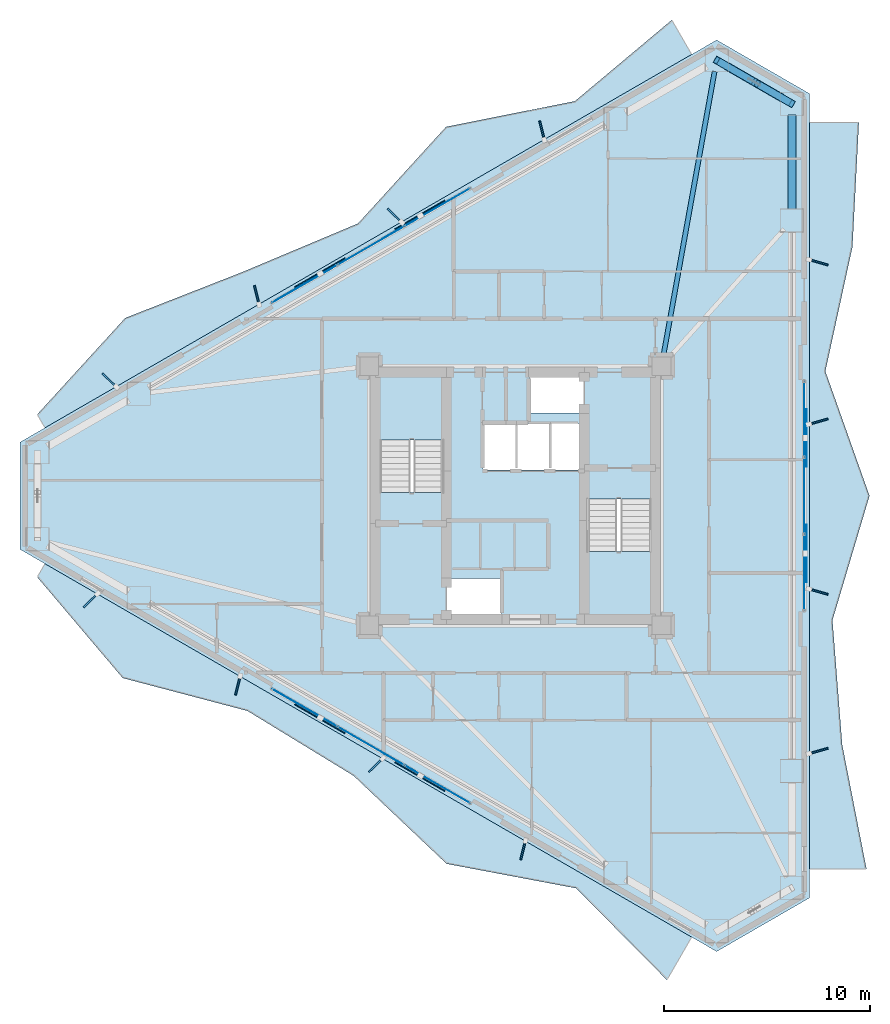
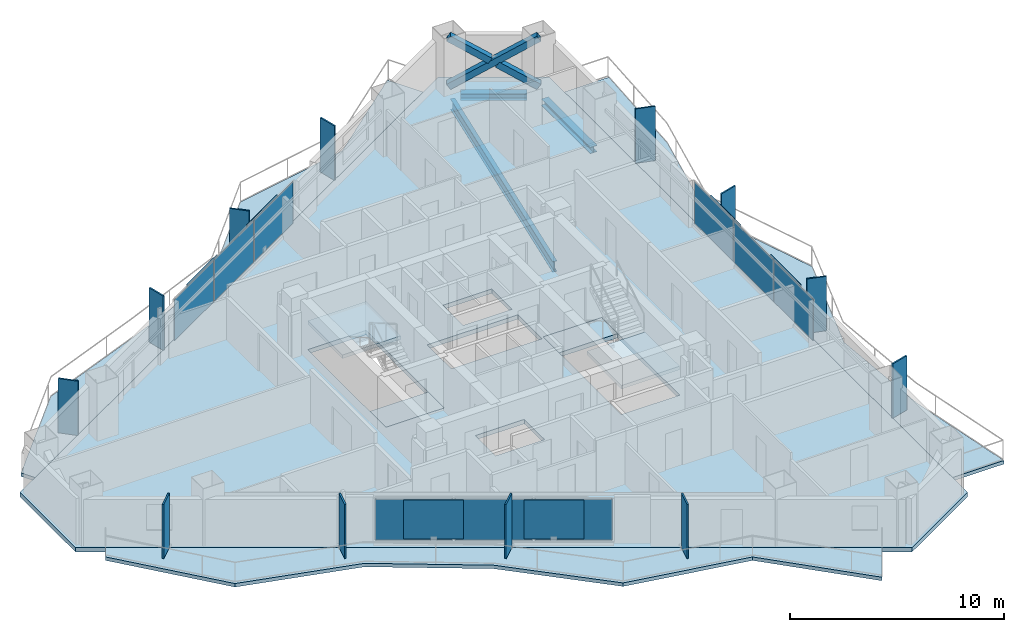
# One storey, part 14 of 22: 27 plates, 8 slabs, 3 beams, 3 members, 5 elements without a shape of their own.
"""IFC4 building model written with IfcOpenShell, lengths in metres."""

from ifc_helpers import new_model, si_unit, direction, frame, origin, origin_2d, place, context, subcontext, project, spatial, polyline, rectangle, hollow_rectangle, i_section, outline, extrude, material, layer, layer_set, material_profile, profile_set, type_object, element, aggregate, save


model = new_model("IFC4")

# Units and contexts
model_context = context("Model", 3, precision=1e-05, world=origin(), true_north=direction((0.0, 1.0)))
body_context = subcontext(model_context, "Body", "Model", "MODEL_VIEW")
ifc_project = project(units=[si_unit("LENGTHUNIT", "METRE"), si_unit("AREAUNIT", "SQUARE_METRE"), si_unit("VOLUMEUNIT", "CUBIC_METRE"), si_unit("PLANEANGLEUNIT", "RADIAN"), si_unit("MASSUNIT", "GRAM", prefix="KILO")], contexts=[model_context])

# Site, building, storey
site_placement = place(None, origin())
site = spatial("IfcSite", under=ifc_project, at=site_placement, CompositionType="ELEMENT")
building_placement = place(site_placement, origin())
building = spatial("IfcBuilding", under=site, at=building_placement, Name="Mersakhor Tower and Convention Hall", CompositionType="ELEMENT")
storey_placement = place(building_placement, frame((0.0, 0.0, 83.39990234375)))
storey = spatial("IfcBuildingStorey", under=building, at=storey_placement, Name="L22", CompositionType="ELEMENT", Elevation=83.39990234375)

# Beams
ifc_material_1 = material(Name="Steel S355", Category="steel")
ifc_material_profile_1 = material_profile(ifc_material_1, i_section(OverallWidth=0.22900390625, OverallDepth=0.6123046875, WebThickness=0.011962890625, FlangeThickness=0.01953125, at=origin_2d()), Name="UB 610x229x125")
ifc_profile_set_1 = profile_set([ifc_material_profile_1], Name="Steel S355")
beam_type_1 = type_object("IfcBeamType", Name="BM-PR-610", PredefinedType="BEAM", material=ifc_profile_set_1)
beam_1_placement = place(storey_placement, frame((36.17626953125, 33.47314453125, -0.555908203125), z_axis=(0.177414716723, 0.984136178732, 0.0), x_axis=(-0.984136178732, 0.177414716723, 0.0)))
element("IfcBeam", 1, at=beam_1_placement, inside=storey, type_object=beam_type_1, Name="L22 Primary Floor Girder FG-2", PredefinedType="BEAM", context=body_context, shape_type="SweptSolid", body=[
    extrude(i_section(OverallWidth=0.22900390625, OverallDepth=0.6123046875, WebThickness=0.011962890625, FlangeThickness=0.01953125, at=origin_2d()), origin(), (0.0, 0.0, 1.0), 14.11328125),
])
ifc_material_2 = material(Name="Steel S355", Category="steel")
ifc_material_profile_2 = material_profile(ifc_material_2, i_section(OverallWidth=0.374755859375, OverallDepth=0.37451171875, WebThickness=0.0166015625, FlangeThickness=0.027099609375, at=origin_2d()), Name="UC 356x368x202")
ifc_profile_set_2 = profile_set([ifc_material_profile_2], Name="Steel S355")
beam_type_2 = type_object("IfcBeamType", Name="BM-SPD-UC356", PredefinedType="SPANDREL", material=ifc_profile_set_2)
beam_2_placement = place(storey_placement, frame((39.25927734375, 47.631103515625, -0.437255859375), z_axis=(0.866052319632, -0.499953377486, 0.0), x_axis=(0.499953377486, 0.866052319632, 0.0)))
element("IfcBeam", 2, at=beam_2_placement, inside=storey, type_object=beam_type_2, Name="L22 Perimeter Spandrel Beam SPB-04", PredefinedType="SPANDREL", context=body_context, shape_type="SweptSolid", body=[
    extrude(i_section(OverallWidth=0.374755859375, OverallDepth=0.37451171875, WebThickness=0.0166015625, FlangeThickness=0.027099609375, at=origin_2d()), origin(), (0.0, 0.0, 1.0), 3.111572265625),
])
beam_3_placement = place(storey_placement, frame((42.4345703125, 45.242919921875, -0.437255859375), z_axis=(0.0, -1.0, 0.0), x_axis=(1.0, 0.0, 0.0)))
element("IfcBeam", 3, at=beam_3_placement, inside=storey, type_object=beam_type_2, Name="L22 Perimeter Spandrel Beam SPB-05", PredefinedType="SPANDREL", context=body_context, shape_type="SweptSolid", body=[
    extrude(i_section(OverallWidth=0.374755859375, OverallDepth=0.37451171875, WebThickness=0.0166015625, FlangeThickness=0.027099609375, at=origin_2d()), origin(), (0.0, 0.0, 1.0), 4.566162109375),
])

# Members
ifc_material_3 = material(Name="Steel S460", Category="steel")
ifc_material_profile_3 = material_profile(ifc_material_3, hollow_rectangle(XDim=0.35009765625, YDim=0.35009765625, WallThickness=0.02001953125, at=origin_2d()), Name="SHS 350x350x20")
ifc_profile_set_3 = profile_set([ifc_material_profile_3], Name="Steel S460")
member_type = type_object("IfcMemberType", Name="MB-BRC-SHS350", PredefinedType="BRACE", material=ifc_profile_set_3)
member_placement = place(storey_placement, frame((38.77880859375, 47.90869140625, 0.150146484375), z_axis=(0.725633725484, -0.418933054415, 0.545848689986), x_axis=(0.49998946241, 0.866031487579, 0.0)))
element("IfcMember", 4, at=member_placement, inside=storey, type_object=member_type, Name="L22 Chamfer Braced Frame Diagonal CB-1A", PredefinedType="BRACE", context=body_context, shape_type="SweptSolid", body=[
    extrude(hollow_rectangle(XDim=0.35009765625, YDim=0.35009765625, WallThickness=0.02001953125, at=origin_2d()), origin(), (0.0, 0.0, 1.0), 5.0380859375),
])
for number, where, z_axis, x_axis, name in (
    (5, (42.4345703125, 45.798095703125, 0.150146484375), (-0.725684866011, 0.418886985747, 0.545816057307), (-0.499921796684, -0.866070549782, 0.0), "L22 Chamfer Braced Frame Diagonal CB-1B Lower Half"),
    (6, (40.4619140625, 46.93701171875, 1.6337890625), (-0.725593346201, 0.41889491121, 0.545931634283), (-0.499976186015, -0.866039152359, 0.0), "L22 Chamfer Braced Frame Diagonal CB-1B Upper Half"),
):
    element("IfcMember", number, at=place(storey_placement, frame(where, z_axis=z_axis, x_axis=x_axis)), inside=storey, type_object=member_type, Name=name, PredefinedType="BRACE", context=body_context, shape_type="SweptSolid", body=[
        extrude(hollow_rectangle(XDim=0.35009765625, YDim=0.35009765625, WallThickness=0.02001953125, at=origin_2d()), origin(), (0.0, 0.0, 1.0), 2.319580078125),
    ])

# Curtain wall, plates
ifc_material_4 = material(Name="Dark solar low-E aluminium curtain wall", Category="aluminium")
ifc_layer_1 = layer(ifc_material_4, 0.159912109375)
ifc_layer_set_1 = layer_set([ifc_layer_1], Name="Dark solar low-E aluminium curtain wall")
curtain_wall_type = type_object("IfcCurtainWallType", Name="CW-SYS-01", PredefinedType="USERDEFINED", material=ifc_layer_set_1)
curtain_wall_1_placement = place(storey_placement, origin())
curtain_wall_1 = element("IfcCurtainWall", 7, at=curtain_wall_1_placement, inside=storey, type_object=curtain_wall_type, Name="L22 Dark-Glass Curtain Wall F1-B2", ObjectType="CURTAIN WALL", PredefinedType="USERDEFINED")
ifc_material_5 = material(Name="Dark solar double glazing", Category="glass")
ifc_layer_2 = layer(ifc_material_5, 0.02392578125)
ifc_layer_set_2 = layer_set([ifc_layer_2], Name="Dark solar double glazing")
plate_type_1 = type_object("IfcPlateType", Name="CWP-GLZ-24", PredefinedType="CURTAIN_PANEL", material=ifc_layer_set_2)
plate_1_placement = place(storey_placement, frame((18.75732421875, 37.042236328125, 0.260009765625), z_axis=(0.0, 0.0, 1.0), x_axis=(0.866026613339, 0.499997904985, 0.0)))
plate_1 = element("IfcPlate", 8, at=plate_1_placement, type_object=plate_type_1, Name="CW-01 panel 1.1", PredefinedType="CURTAIN_PANEL", context=body_context, shape_type="SweptSolid", body=[
    extrude(rectangle(XDim=3.630615234375, YDim=0.02392578125, at=origin_2d()), origin(), (0.0, 0.0, 1.0), 2.35009765625),
])
plate_2_placement = place(storey_placement, frame((21.982666015625, 38.904296875, 0.260009765625), z_axis=(0.0, 0.0, 1.0), x_axis=(0.866026613339, 0.499997904985, 0.0)))
plate_2 = element("IfcPlate", 9, at=plate_2_placement, type_object=plate_type_1, Name="CW-01 panel 2.1", PredefinedType="CURTAIN_PANEL", context=body_context, shape_type="SweptSolid", body=[
    extrude(rectangle(XDim=3.668212890625, YDim=0.02392578125, at=origin_2d()), origin(), (0.0, 0.0, 1.0), 2.35009765625),
])
plate_3_placement = place(storey_placement, frame((25.2080078125, 40.7666015625, 0.260009765625), z_axis=(0.0, 0.0, 1.0), x_axis=(0.866026613339, 0.499997904985, 0.0)))
plate_3 = element("IfcPlate", 10, at=plate_3_placement, type_object=plate_type_1, Name="CW-01 panel 3.1", PredefinedType="CURTAIN_PANEL", context=body_context, shape_type="SweptSolid", body=[
    extrude(rectangle(XDim=3.630615234375, YDim=0.02392578125, at=origin_2d()), origin(), (0.0, 0.0, 1.0), 2.35009765625),
])
aggregate(curtain_wall_1, [plate_1, plate_2, plate_3])

curtain_wall_2_placement = place(storey_placement, origin())
curtain_wall_2 = element("IfcCurtainWall", 11, at=curtain_wall_2_placement, inside=storey, type_object=curtain_wall_type, Name="L22 Dark-Glass Curtain Wall F2-B2", ObjectType="CURTAIN WALL", PredefinedType="USERDEFINED")
plate_4_placement = place(storey_placement, frame((43.03466796875, 30.474365234375, 0.260009765625), z_axis=(0.0, 0.0, 1.0), x_axis=(0.0, -1.0, 0.0)))
plate_4 = element("IfcPlate", 12, at=plate_4_placement, type_object=plate_type_1, Name="CW-01 panel 1.1", PredefinedType="CURTAIN_PANEL", context=body_context, shape_type="SweptSolid", body=[
    extrude(rectangle(XDim=3.630615234375, YDim=0.02392578125, at=origin_2d()), origin(), (0.0, 0.0, 1.0), 2.35009765625),
])
plate_5_placement = place(storey_placement, frame((43.03466796875, 26.75, 0.260009765625), z_axis=(0.0, 0.0, 1.0), x_axis=(0.0, -1.0, 0.0)))
plate_5 = element("IfcPlate", 13, at=plate_5_placement, type_object=plate_type_1, Name="CW-01 panel 2.1", PredefinedType="CURTAIN_PANEL", context=body_context, shape_type="SweptSolid", body=[
    extrude(rectangle(XDim=3.668212890625, YDim=0.02392578125, at=origin_2d()), origin(), (0.0, 0.0, 1.0), 2.35009765625),
])
plate_6_placement = place(storey_placement, frame((43.03466796875, 23.025634765625, 0.260009765625), z_axis=(0.0, 0.0, 1.0), x_axis=(0.0, -1.0, 0.0)))
plate_6 = element("IfcPlate", 14, at=plate_6_placement, type_object=plate_type_1, Name="CW-01 panel 3.1", PredefinedType="CURTAIN_PANEL", context=body_context, shape_type="SweptSolid", body=[
    extrude(rectangle(XDim=3.630615234375, YDim=0.02392578125, at=origin_2d()), origin(), (0.0, 0.0, 1.0), 2.35009765625),
])
aggregate(curtain_wall_2, [plate_4, plate_5, plate_6])

curtain_wall_3_placement = place(storey_placement, origin())
curtain_wall_3 = element("IfcCurtainWall", 15, at=curtain_wall_3_placement, inside=storey, type_object=curtain_wall_type, Name="L22 Dark-Glass Curtain Wall F3-B2", ObjectType="CURTAIN WALL", PredefinedType="USERDEFINED")
plate_7_placement = place(storey_placement, frame((25.2080078125, 12.7333984375, 0.260009765625), z_axis=(0.0, 0.0, 1.0), x_axis=(-0.866026613339, 0.499997904985, 0.0)))
plate_7 = element("IfcPlate", 16, at=plate_7_placement, type_object=plate_type_1, Name="CW-01 panel 1.1", PredefinedType="CURTAIN_PANEL", context=body_context, shape_type="SweptSolid", body=[
    extrude(rectangle(XDim=3.630615234375, YDim=0.02392578125, at=origin_2d()), origin(), (0.0, 0.0, 1.0), 2.35009765625),
])
plate_8_placement = place(storey_placement, frame((21.982666015625, 14.595703125, 0.260009765625), z_axis=(0.0, 0.0, 1.0), x_axis=(-0.866026613339, 0.499997904985, 0.0)))
plate_8 = element("IfcPlate", 17, at=plate_8_placement, type_object=plate_type_1, Name="CW-01 panel 2.1", PredefinedType="CURTAIN_PANEL", context=body_context, shape_type="SweptSolid", body=[
    extrude(rectangle(XDim=3.668212890625, YDim=0.02392578125, at=origin_2d()), origin(), (0.0, 0.0, 1.0), 2.35009765625),
])
plate_9_placement = place(storey_placement, frame((18.75732421875, 16.457763671875, 0.260009765625), z_axis=(0.0, 0.0, 1.0), x_axis=(-0.866026613339, 0.499997904985, 0.0)))
plate_9 = element("IfcPlate", 18, at=plate_9_placement, type_object=plate_type_1, Name="CW-01 panel 3.1", PredefinedType="CURTAIN_PANEL", context=body_context, shape_type="SweptSolid", body=[
    extrude(rectangle(XDim=3.630615234375, YDim=0.02392578125, at=origin_2d()), origin(), (0.0, 0.0, 1.0), 2.35009765625),
])
aggregate(curtain_wall_3, [plate_7, plate_8, plate_9])

# Plates
ifc_material_6 = material(Name="Ceramic-clad aluminium Zone 2 emerald-teal", Category="aluminium")
ifc_material_7 = material(Name="Ceramic-clad aluminium Zone 1 cobalt-slate", Category="masonry")
ifc_layer_3 = layer(ifc_material_7, 0.080078125)
ifc_layer_set_3 = layer_set([ifc_layer_3], Name="Ceramic-clad aluminium Zone 1 cobalt-slate")
plate_type_2 = type_object("IfcPlateType", Name="PL-FIN-80", PredefinedType="USERDEFINED", material=ifc_layer_set_3)
for number, where, z_axis, x_axis, name in (
    (19, (9.281494140625, 32.364013671875, 0.0), (0.0, 0.0, 1.0), (-0.719339800339, 0.694658370459, 0.0), "L22 Zone 2 Coloured Brise-Soleil Fin F1-1"),
    (20, (16.4365234375, 36.4951171875, 0.0), (0.0, 0.0, 1.0), (-0.2419218956, 0.970295726276, 0.0), "L22 Zone 2 Coloured Brise-Soleil Fin F1-2"),
    (21, (23.137939453125, 40.364013671875, 0.0), (0.0, 0.0, 1.0), (-0.719339800339, 0.694658370459, 0.0), "L22 Zone 2 Coloured Brise-Soleil Fin F1-3"),
    (22, (30.29296875, 44.4951171875, 0.0), (0.0, 0.0, 1.0), (-0.2419218956, 0.970295726276, 0.0), "L22 Zone 2 Coloured Brise-Soleil Fin F1-4"),
    (23, (43.72119140625, 38.091064453125, 0.0), (0.0, 0.0, 1.0), (0.961261695938, -0.275637355817, 0.0), "L22 Zone 2 Coloured Brise-Soleil Fin F2-1"),
    (24, (43.72119140625, 30.35302734375, 0.0), (0.0, 0.0, 1.0), (0.961261695938, 0.275637355817, 0.0), "L22 Zone 2 Coloured Brise-Soleil Fin F2-2"),
    (25, (43.72119140625, 22.091064453125, 0.0), (0.0, 0.0, 1.0), (0.961261695938, -0.275637355817, 0.0), "L22 Zone 2 Coloured Brise-Soleil Fin F2-3"),
    (26, (43.72119140625, 14.35302734375, 0.0), (0.0, 0.0, 1.0), (0.961261695938, 0.275637355817, 0.0), "L22 Zone 2 Coloured Brise-Soleil Fin F2-4"),
    (27, (29.37841796875, 9.532958984375, 0.0), (0.0, 0.0, 1.0), (-0.2419218956, -0.970295726276, 0.0), "L22 Zone 2 Coloured Brise-Soleil Fin F3-1"),
    (28, (22.223388671875, 13.663818359375, 0.0), (0.0, 0.0, 1.0), (-0.719339800339, -0.694658370459, 0.0), "L22 Zone 2 Coloured Brise-Soleil Fin F3-2"),
    (29, (15.52197265625, 17.532958984375, 0.0), (0.0, 0.0, 1.0), (-0.2419218956, -0.970295726276, 0.0), "L22 Zone 2 Coloured Brise-Soleil Fin F3-3"),
    (30, (8.3671875, 21.663818359375, 0.0), (0.0, 0.0, 1.0), (-0.719339800339, -0.694658370459, 0.0), "L22 Zone 2 Coloured Brise-Soleil Fin F3-4"),
):
    element("IfcPlate", number, at=place(storey_placement, frame(where, z_axis=z_axis, x_axis=x_axis)), inside=storey, type_object=plate_type_2, material=ifc_material_6, Name=name, ObjectType="FIN", PredefinedType="USERDEFINED", context=body_context, shape_type="SweptSolid", body=[
        extrude(rectangle(XDim=0.949951171875, YDim=0.080078125, at=origin_2d()), origin(), (0.0, 0.0, 1.0), 3.10009765625),
    ])
ifc_material_8 = material(Name="Perforated ceramic cobogo solar screen", Category="aluminium")
ifc_layer_4 = layer(ifc_material_8, 0.048095703125)
ifc_layer_set_4 = layer_set([ifc_layer_4], Name="Perforated ceramic cobogo solar screen")
plate_type_3 = type_object("IfcPlateType", Name="PL-SCR-48", PredefinedType="USERDEFINED", material=ifc_layer_set_4)
for number, where, z_axis, x_axis, name in (
    (31, (19.50439453125, 37.58203125, 0.39990234375), (0.0, 0.0, 1.0), (0.866025403784, 0.5, 0.0), "L22 Perforated Ceramic Solar Screen F1-1"),
    (32, (24.366943359375, 40.389404296875, 0.39990234375), (0.0, 0.0, 1.0), (0.866025403784, 0.5, 0.0), "L22 Perforated Ceramic Solar Screen F1-2"),
    (33, (43.128662109375, 29.557373046875, 0.39990234375), (0.0, 0.0, 1.0), (0.0, -1.0, 0.0), "L22 Perforated Ceramic Solar Screen F2-1"),
    (34, (43.128662109375, 23.942626953125, 0.39990234375), (0.0, 0.0, 1.0), (0.0, -1.0, 0.0), "L22 Perforated Ceramic Solar Screen F2-2"),
    (35, (24.366943359375, 13.110595703125, 0.39990234375), (0.0, 0.0, 1.0), (-0.866025403784, 0.5, 0.0), "L22 Perforated Ceramic Solar Screen F3-1"),
    (36, (19.50439453125, 15.91796875, 0.39990234375), (0.0, 0.0, 1.0), (-0.866025403784, 0.5, 0.0), "L22 Perforated Ceramic Solar Screen F3-2"),
):
    element("IfcPlate", number, at=place(storey_placement, frame(where, z_axis=z_axis, x_axis=x_axis)), inside=storey, type_object=plate_type_3, Name=name, ObjectType="SCREEN", PredefinedType="USERDEFINED", context=body_context, shape_type="SweptSolid", body=[
        extrude(rectangle(XDim=2.800048828125, YDim=0.048095703125, at=origin_2d()), origin(), (0.0, 0.0, 1.0), 2.219970703125),
    ])

# Slabs
ifc_material_9 = material(Name="Concrete C45/55", Category="concrete")
ifc_layer_5 = layer(ifc_material_9, 0.199951171875)
ifc_layer_set_5 = layer_set([ifc_layer_5], Name="Concrete C45/55")
slab_type_1 = type_object("IfcSlabType", Name="SL-BAL-200", PredefinedType="FLOOR", material=ifc_layer_set_5)
slab_1_placement = place(storey_placement, frame((0.0, 0.0, -0.199951171875)))
element("IfcSlab", 37, at=slab_1_placement, inside=storey, type_object=slab_type_1, Name="L22 Sinusoidal Balcony Slab Face 1", PredefinedType="FLOOR", context=body_context, shape_type="SweptSolid", body=[
    extrude(outline(polyline([(6.149169921875, 30.051513671875), (37.56640625, 48.190185546875), (36.6005859375, 49.86279296875), (31.89501953125, 45.9208984375), (25.6337890625, 44.6728515625), (21.361572265625, 39.97998046875), (15.743408203125, 37.61865234375), (10.0498046875, 35.3876953125), (5.774169921875, 30.700927734375), (6.149169921875, 30.051513671875)])), origin(), (0.0, 0.0, 1.0), 0.199951171875),
])
slab_2_placement = place(storey_placement, frame((0.0, 0.0, -0.199951171875)))
element("IfcSlab", 38, at=slab_2_placement, inside=storey, type_object=slab_type_1, Name="L22 Sinusoidal Balcony Slab Face 2", PredefinedType="FLOOR", context=body_context, shape_type="SweptSolid", body=[
    extrude(outline(polyline([(43.28466796875, 44.888671875), (43.28466796875, 8.611328125), (46.060546875, 8.611328125), (44.878662109375, 14.657470703125), (44.4052734375, 20.703857421875), (46.20458984375, 26.75), (44.059326171875, 32.796142578125), (45.37646484375, 38.842529296875), (45.689697265625, 44.888671875), (43.28466796875, 44.888671875)])), origin(), (0.0, 0.0, 1.0), 0.199951171875),
])
slab_3_placement = place(storey_placement, frame((0.0, 0.0, -0.199951171875)))
element("IfcSlab", 39, at=slab_3_placement, inside=storey, type_object=slab_type_1, Name="L22 Sinusoidal Balcony Slab Face 3", PredefinedType="FLOOR", context=body_context, shape_type="SweptSolid", body=[
    extrude(outline(polyline([(37.56640625, 5.309814453125), (6.149169921875, 23.448486328125), (5.774169921875, 22.799072265625), (9.92529296875, 17.896484375), (15.985107421875, 16.30029296875), (21.145751953125, 13.146240234375), (25.6591796875, 8.87109375), (31.955078125, 7.683349609375), (36.36376953125, 3.22705078125), (37.56640625, 5.309814453125)])), origin(), (0.0, 0.0, 1.0), 0.199951171875),
])
ifc_material_10 = material(Name="Concrete C40/50", Category="concrete")
ifc_layer_6 = layer(ifc_material_10, 0.25)
ifc_layer_set_6 = layer_set([ifc_layer_6], Name="Concrete C40/50")
slab_type_2 = type_object("IfcSlabType", Name="SL-FLR-250", PredefinedType="FLOOR", material=ifc_layer_set_6)
slab_4_placement = place(storey_placement, frame((0.0, 0.0, -0.25)))
element("IfcSlab", 40, at=slab_4_placement, inside=storey, type_object=slab_type_2, Name="L22 ST-1 Structural Stair Floor Landing", PredefinedType="LANDING", context=body_context, shape_type="SweptSolid", body=[
    extrude(outline(polyline([(25.550048828125, 25.39990234375), (25.550048828125, 26.89990234375), (22.39990234375, 26.89990234375), (22.39990234375, 25.39990234375), (25.550048828125, 25.39990234375)])), origin(), (0.0, 0.0, 1.0), 0.25),
])
slab_5_placement = place(storey_placement, frame((0.0, 0.0, -0.25)))
element("IfcSlab", 41, at=slab_5_placement, inside=storey, type_object=slab_type_2, Name="L22 ST-2 Structural Stair Floor Landing", PredefinedType="LANDING", context=body_context, shape_type="SweptSolid", body=[
    extrude(outline(polyline([(32.449951171875, 28.10009765625), (32.449951171875, 26.60009765625), (35.60009765625, 26.60009765625), (35.60009765625, 28.10009765625), (32.449951171875, 28.10009765625)])), origin(), (0.0, 0.0, 1.0), 0.25),
])
slab_6_placement = place(storey_placement, frame((0.0, 0.0, -0.25)))
element("IfcSlab", 42, at=slab_6_placement, inside=storey, type_object=slab_type_2, Name="Tower L22 Structural Floor Slab", PredefinedType="FLOOR", context=body_context, shape_type="SweptSolid", body=[
    extrude(outline(polyline([(4.936767578125, 29.3515625), (38.77880859375, 48.89013671875), (43.28466796875, 46.288818359375), (43.28466796875, 7.211181640625), (38.77880859375, 4.60986328125), (4.936767578125, 24.1484375), (4.936767578125, 29.3515625)]), holes=[polyline([(25.550048828125, 25.39990234375), (25.550048828125, 32.699951171875), (22.39990234375, 32.699951171875), (22.39990234375, 25.39990234375), (25.550048828125, 25.39990234375)]), polyline([(32.449951171875, 28.10009765625), (32.449951171875, 20.800048828125), (35.60009765625, 20.800048828125), (35.60009765625, 28.10009765625), (32.449951171875, 28.10009765625)]), polyline([(25.679931640625, 20.820068359375), (25.679931640625, 22.719970703125), (28.320068359375, 22.719970703125), (28.320068359375, 20.820068359375), (25.679931640625, 20.820068359375)]), polyline([(29.679931640625, 30.780029296875), (29.679931640625, 32.679931640625), (32.320068359375, 32.679931640625), (32.320068359375, 30.780029296875), (29.679931640625, 30.780029296875)]), polyline([(27.429931640625, 28.0), (27.429931640625, 30.25), (32.320068359375, 30.25), (32.320068359375, 28.0), (27.429931640625, 28.0)])]), origin(), (0.0, 0.0, 1.0), 0.25),
])

# Stair, slab
ifc_material_11 = material(Name="Concrete C45/55", Category="concrete")
stair_type = type_object("IfcStairType", Name="ST-TWR-20R", PredefinedType="HALF_TURN_STAIR", material=ifc_material_11)
stair_1_placement = place(storey_placement, origin())
stair_1 = element("IfcStair", 43, at=stair_1_placement, inside=storey, type_object=stair_type, Name="L22 Tower Protected Exit Stair ST-1", PredefinedType="HALF_TURN_STAIR")
ifc_material_12 = material(Name="Concrete C45/55", Category="concrete")
ifc_layer_7 = layer(ifc_material_12, 0.199951171875)
ifc_layer_set_7 = layer_set([ifc_layer_7], Name="Concrete C45/55")
slab_type_3 = type_object("IfcSlabType", Name="SL-LAND-200", PredefinedType="LANDING", material=ifc_layer_set_7)
slab_7_placement = place(storey_placement, frame((0.0, 0.0, 1.4501953125)))
slab_7 = element("IfcSlab", 44, at=slab_7_placement, type_object=slab_type_3, Name="ST-1 landing 1", PredefinedType="LANDING", context=body_context, shape_type="SweptSolid", body=[
    extrude(outline(polyline([(25.550048828125, 29.465087890625), (25.550048828125, 32.699951171875), (22.39990234375, 32.699951171875), (22.39990234375, 29.465087890625), (25.550048828125, 29.465087890625)])), origin(), (0.0, 0.0, 1.0), 0.199951171875),
])
aggregate(stair_1, [slab_7])

stair_2_placement = place(storey_placement, origin())
stair_2 = element("IfcStair", 45, at=stair_2_placement, inside=storey, type_object=stair_type, Name="L22 Tower Protected Exit Stair ST-2", PredefinedType="HALF_TURN_STAIR")
slab_8_placement = place(storey_placement, frame((0.0, 0.0, 1.4501953125)))
slab_8 = element("IfcSlab", 46, at=slab_8_placement, type_object=slab_type_3, Name="ST-2 landing 1", PredefinedType="LANDING", context=body_context, shape_type="SweptSolid", body=[
    extrude(outline(polyline([(32.449951171875, 24.034912109375), (32.449951171875, 20.800048828125), (35.60009765625, 20.800048828125), (35.60009765625, 24.034912109375), (32.449951171875, 24.034912109375)])), origin(), (0.0, 0.0, 1.0), 0.199951171875),
])
aggregate(stair_2, [slab_8])

save(model, "model.ifc")
